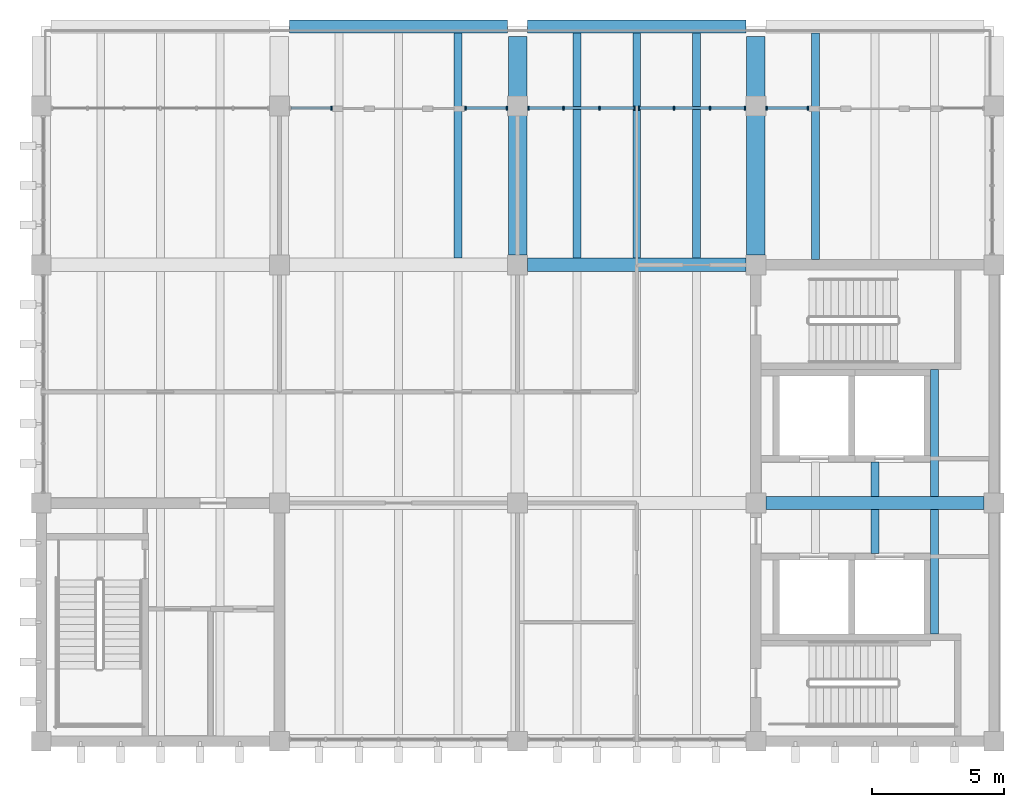
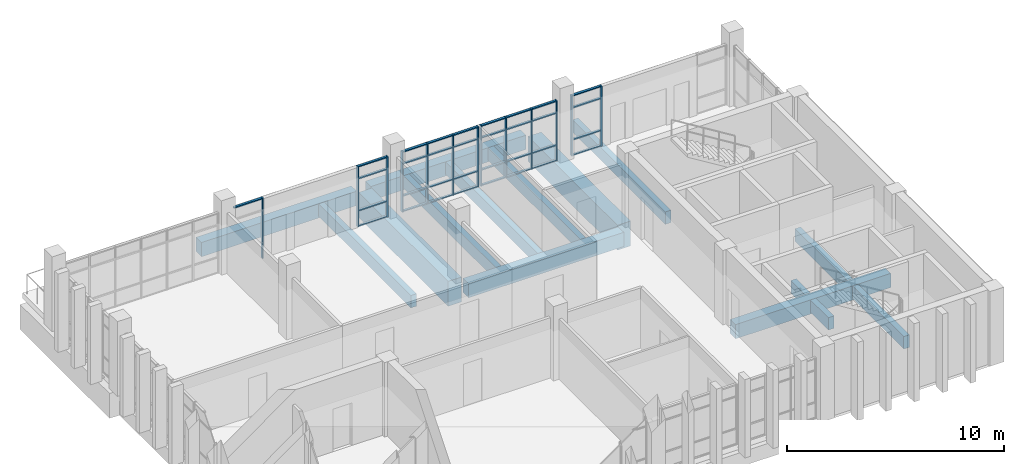
# One storey, part 5 of 15: 46 members, 15 beams, 5 elements without a shape of their own.
"""IFC4 building model written with IfcOpenShell, lengths in metres."""

from ifc_helpers import new_model, si_unit, direction, frame, origin, origin_2d, place, context, subcontext, project, spatial, rectangle, extrude, material, material_profile, profile_set, type_object, element, aggregate, save


model = new_model("IFC4")

# Units and contexts
model_context = context("Model", 3, precision=1e-05, world=origin(), true_north=direction((0.0, 1.0)))
body_context = subcontext(model_context, "Body", "Model", "MODEL_VIEW")
ifc_project = project(units=[si_unit("LENGTHUNIT", "METRE"), si_unit("AREAUNIT", "SQUARE_METRE"), si_unit("VOLUMEUNIT", "CUBIC_METRE"), si_unit("PLANEANGLEUNIT", "RADIAN"), si_unit("MASSUNIT", "GRAM", prefix="KILO")], contexts=[model_context])

# Site, building, storey
site_placement = place(None, origin())
site = spatial("IfcSite", under=ifc_project, at=site_placement, CompositionType="ELEMENT")
building_placement = place(site_placement, origin())
building = spatial("IfcBuilding", under=site, at=building_placement, Name="Merrow Basin Faculty of Sciences", CompositionType="ELEMENT")
storey_placement = place(building_placement, frame((0.0, 0.0, 31.5)))
storey = spatial("IfcBuildingStorey", under=building, at=storey_placement, Name="L07", CompositionType="ELEMENT", Elevation=31.5)

# Curtain wall, member
ifc_material_1 = material(Name="Aluminium alloy 6063", Category="aluminium")
curtain_wall_type = type_object("IfcCurtainWallType", Name="Unitised curtain wall 160", PredefinedType="NOTDEFINED", material=ifc_material_1)
curtain_wall_1_placement = place(storey_placement, origin())
curtain_wall_1 = element("IfcCurtainWall", 1, at=curtain_wall_1_placement, inside=storey, type_object=curtain_wall_type, Name="N curtain wall L07 2", PredefinedType="NOTDEFINED")
ifc_material_2 = material(Name="Aluminium alloy 6063", Category="aluminium")
ifc_material_profile_1 = material_profile(ifc_material_2, rectangle(XDim=0.159912109375, YDim=0.06005859375, at=origin_2d()))
ifc_profile_set_1 = profile_set([ifc_material_profile_1], Name="Aluminium alloy 6063")
member_type_1 = type_object("IfcMemberType", Name="Aluminium mullion 60x160", PredefinedType="MULLION", material=ifc_profile_set_1)
member_1_placement = place(storey_placement, frame((28.969970703125, 165.919921875, 0.0), z_axis=(0.0, 0.0, 1.0), x_axis=(0.0, 1.0, 0.0)))
member_1 = element("IfcMember", 2, at=member_1_placement, type_object=member_type_1, Name="CW3 mullion 2", PredefinedType="MULLION", context=body_context, shape_type="SweptSolid", body=[
    extrude(rectangle(XDim=0.159912109375, YDim=0.06005859375, at=origin_2d()), origin(), (0.0, 0.0, 1.0), 3.39990234375),
])

# Curtain wall, members
curtain_wall_2_placement = place(storey_placement, origin())
curtain_wall_2 = element("IfcCurtainWall", 3, at=curtain_wall_2_placement, inside=storey, type_object=curtain_wall_type, Name="N curtain wall L07 3", PredefinedType="NOTDEFINED")
member_2_placement = place(storey_placement, frame((34.030029296875, 165.919921875, 0.0), z_axis=(0.0, 0.0, 1.0), x_axis=(0.0, 1.0, 0.0)))
member_2 = element("IfcMember", 4, at=member_2_placement, type_object=member_type_1, Name="CW3 mullion 1", PredefinedType="MULLION", context=body_context, shape_type="SweptSolid", body=[
    extrude(rectangle(XDim=0.159912109375, YDim=0.06005859375, at=origin_2d()), origin(), (0.0, 0.0, 1.0), 3.39990234375),
])
member_3_placement = place(storey_placement, frame((35.594970703125, 165.919921875, 0.0), z_axis=(0.0, 0.0, 1.0), x_axis=(0.0, 1.0, 0.0)))
member_3 = element("IfcMember", 5, at=member_3_placement, type_object=member_type_1, Name="CW3 mullion 2", PredefinedType="MULLION", context=body_context, shape_type="SweptSolid", body=[
    extrude(rectangle(XDim=0.159912109375, YDim=0.06005859375, at=origin_2d()), origin(), (0.0, 0.0, 1.0), 3.39990234375),
])

curtain_wall_3_placement = place(storey_placement, origin())
curtain_wall_3 = element("IfcCurtainWall", 6, at=curtain_wall_3_placement, inside=storey, type_object=curtain_wall_type, Name="N curtain wall L07 4", PredefinedType="NOTDEFINED")
member_4_placement = place(storey_placement, frame((36.405029296875, 165.919921875, 0.0), z_axis=(0.0, 0.0, 1.0), x_axis=(0.0, 1.0, 0.0)))
member_4 = element("IfcMember", 7, at=member_4_placement, type_object=member_type_1, Name="CW3 mullion 1", PredefinedType="MULLION", context=body_context, shape_type="SweptSolid", body=[
    extrude(rectangle(XDim=0.159912109375, YDim=0.06005859375, at=origin_2d()), origin(), (0.0, 0.0, 1.0), 3.39990234375),
])
member_5_placement = place(storey_placement, frame((37.7333984375, 165.919921875, 0.0), z_axis=(0.0, 0.0, 1.0), x_axis=(0.0, 1.0, 0.0)))
member_5 = element("IfcMember", 8, at=member_5_placement, type_object=member_type_1, Name="CW3 mullion 2", PredefinedType="MULLION", context=body_context, shape_type="SweptSolid", body=[
    extrude(rectangle(XDim=0.159912109375, YDim=0.06005859375, at=origin_2d()), origin(), (0.0, 0.0, 1.0), 3.39990234375),
])
member_6_placement = place(storey_placement, frame((39.091552734375, 165.919921875, 0.0), z_axis=(0.0, 0.0, 1.0), x_axis=(0.0, 1.0, 0.0)))
member_6 = element("IfcMember", 9, at=member_6_placement, type_object=member_type_1, Name="CW3 mullion 3", PredefinedType="MULLION", context=body_context, shape_type="SweptSolid", body=[
    extrude(rectangle(XDim=0.159912109375, YDim=0.06005859375, at=origin_2d()), origin(), (0.0, 0.0, 1.0), 3.39990234375),
])
member_7_placement = place(storey_placement, frame((40.419921875, 165.919921875, 0.0), z_axis=(0.0, 0.0, 1.0), x_axis=(0.0, 1.0, 0.0)))
member_7 = element("IfcMember", 10, at=member_7_placement, type_object=member_type_1, Name="CW3 mullion 4", PredefinedType="MULLION", context=body_context, shape_type="SweptSolid", body=[
    extrude(rectangle(XDim=0.159912109375, YDim=0.06005859375, at=origin_2d()), origin(), (0.0, 0.0, 1.0), 3.39990234375),
])

curtain_wall_4_placement = place(storey_placement, origin())
curtain_wall_4 = element("IfcCurtainWall", 11, at=curtain_wall_4_placement, inside=storey, type_object=curtain_wall_type, Name="N curtain wall L07 5", PredefinedType="NOTDEFINED")
member_8_placement = place(storey_placement, frame((40.580078125, 165.919921875, 0.0), z_axis=(0.0, 0.0, 1.0), x_axis=(0.0, 1.0, 0.0)))
member_8 = element("IfcMember", 12, at=member_8_placement, type_object=member_type_1, Name="CW3 mullion 1", PredefinedType="MULLION", context=body_context, shape_type="SweptSolid", body=[
    extrude(rectangle(XDim=0.159912109375, YDim=0.06005859375, at=origin_2d()), origin(), (0.0, 0.0, 1.0), 3.39990234375),
])
member_9_placement = place(storey_placement, frame((41.908447265625, 165.919921875, 0.0), z_axis=(0.0, 0.0, 1.0), x_axis=(0.0, 1.0, 0.0)))
member_9 = element("IfcMember", 13, at=member_9_placement, type_object=member_type_1, Name="CW3 mullion 2", PredefinedType="MULLION", context=body_context, shape_type="SweptSolid", body=[
    extrude(rectangle(XDim=0.159912109375, YDim=0.06005859375, at=origin_2d()), origin(), (0.0, 0.0, 1.0), 3.39990234375),
])
member_10_placement = place(storey_placement, frame((43.2666015625, 165.919921875, 0.0), z_axis=(0.0, 0.0, 1.0), x_axis=(0.0, 1.0, 0.0)))
member_10 = element("IfcMember", 14, at=member_10_placement, type_object=member_type_1, Name="CW3 mullion 3", PredefinedType="MULLION", context=body_context, shape_type="SweptSolid", body=[
    extrude(rectangle(XDim=0.159912109375, YDim=0.06005859375, at=origin_2d()), origin(), (0.0, 0.0, 1.0), 3.39990234375),
])
member_11_placement = place(storey_placement, frame((44.594970703125, 165.919921875, 0.0), z_axis=(0.0, 0.0, 1.0), x_axis=(0.0, 1.0, 0.0)))
member_11 = element("IfcMember", 15, at=member_11_placement, type_object=member_type_1, Name="CW3 mullion 4", PredefinedType="MULLION", context=body_context, shape_type="SweptSolid", body=[
    extrude(rectangle(XDim=0.159912109375, YDim=0.06005859375, at=origin_2d()), origin(), (0.0, 0.0, 1.0), 3.39990234375),
])

curtain_wall_5_placement = place(storey_placement, origin())
curtain_wall_5 = element("IfcCurtainWall", 16, at=curtain_wall_5_placement, inside=storey, type_object=curtain_wall_type, Name="N curtain wall L07 6", PredefinedType="NOTDEFINED")
member_12_placement = place(storey_placement, frame((45.405029296875, 165.919921875, 0.0), z_axis=(0.0, 0.0, 1.0), x_axis=(0.0, 1.0, 0.0)))
member_12 = element("IfcMember", 17, at=member_12_placement, type_object=member_type_1, Name="CW3 mullion 1", PredefinedType="MULLION", context=body_context, shape_type="SweptSolid", body=[
    extrude(rectangle(XDim=0.159912109375, YDim=0.06005859375, at=origin_2d()), origin(), (0.0, 0.0, 1.0), 3.39990234375),
])
member_13_placement = place(storey_placement, frame((46.969970703125, 165.919921875, 0.0), z_axis=(0.0, 0.0, 1.0), x_axis=(0.0, 1.0, 0.0)))
member_13 = element("IfcMember", 18, at=member_13_placement, type_object=member_type_1, Name="CW3 mullion 2", PredefinedType="MULLION", context=body_context, shape_type="SweptSolid", body=[
    extrude(rectangle(XDim=0.159912109375, YDim=0.06005859375, at=origin_2d()), origin(), (0.0, 0.0, 1.0), 3.39990234375),
])

# Member
ifc_material_3 = material(Name="Aluminium alloy 6063", Category="aluminium")
ifc_material_profile_2 = material_profile(ifc_material_3, rectangle(XDim=0.1201171875, YDim=0.06005859375, at=origin_2d()))
ifc_profile_set_2 = profile_set([ifc_material_profile_2], Name="Aluminium alloy 6063")
member_type_2 = type_object("IfcMemberType", Name="Aluminium transom 60x120", PredefinedType="USERDEFINED", material=ifc_profile_set_2)
member_14_placement = place(storey_placement, frame((27.43505859375, 165.919921875, 3.3701171875), z_axis=(1.0, 0.0, 0.0), x_axis=(0.0, 1.0, 0.0)))
member_14 = element("IfcMember", 19, at=member_14_placement, type_object=member_type_2, Name="CW3 transom 1.4", ObjectType="TRANSOM", PredefinedType="USERDEFINED", context=body_context, shape_type="SweptSolid", body=[
    extrude(rectangle(XDim=0.1201171875, YDim=0.06005859375, at=origin_2d()), origin(), (0.0, 0.0, 1.0), 1.5048828125),
])

aggregate(curtain_wall_1, [member_1, member_14])

member_15_placement = place(storey_placement, frame((34.06005859375, 165.919921875, 0.030029296875), z_axis=(1.0, 0.0, 0.0), x_axis=(0.0, 1.0, 0.0)))
member_15 = element("IfcMember", 20, at=member_15_placement, type_object=member_type_2, Name="CW3 transom 1.1", ObjectType="TRANSOM", PredefinedType="USERDEFINED", context=body_context, shape_type="SweptSolid", body=[
    extrude(rectangle(XDim=0.1201171875, YDim=0.06005859375, at=origin_2d()), origin(), (0.0, 0.0, 1.0), 1.5048828125),
])

member_16_placement = place(storey_placement, frame((34.06005859375, 165.919921875, 0.89990234375), z_axis=(1.0, 0.0, 0.0), x_axis=(0.0, 1.0, 0.0)))
member_16 = element("IfcMember", 21, at=member_16_placement, type_object=member_type_2, Name="CW3 transom 1.2", ObjectType="TRANSOM", PredefinedType="USERDEFINED", context=body_context, shape_type="SweptSolid", body=[
    extrude(rectangle(XDim=0.1201171875, YDim=0.06005859375, at=origin_2d()), origin(), (0.0, 0.0, 1.0), 1.5048828125),
])

member_17_placement = place(storey_placement, frame((34.06005859375, 165.919921875, 2.699951171875), z_axis=(1.0, 0.0, 0.0), x_axis=(0.0, 1.0, 0.0)))
member_17 = element("IfcMember", 22, at=member_17_placement, type_object=member_type_2, Name="CW3 transom 1.3", ObjectType="TRANSOM", PredefinedType="USERDEFINED", context=body_context, shape_type="SweptSolid", body=[
    extrude(rectangle(XDim=0.1201171875, YDim=0.06005859375, at=origin_2d()), origin(), (0.0, 0.0, 1.0), 1.5048828125),
])

member_18_placement = place(storey_placement, frame((34.06005859375, 165.919921875, 3.3701171875), z_axis=(1.0, 0.0, 0.0), x_axis=(0.0, 1.0, 0.0)))
member_18 = element("IfcMember", 23, at=member_18_placement, type_object=member_type_2, Name="CW3 transom 1.4", ObjectType="TRANSOM", PredefinedType="USERDEFINED", context=body_context, shape_type="SweptSolid", body=[
    extrude(rectangle(XDim=0.1201171875, YDim=0.06005859375, at=origin_2d()), origin(), (0.0, 0.0, 1.0), 1.5048828125),
])

aggregate(curtain_wall_2, [member_2, member_3, member_15, member_16, member_17, member_18])

member_19_placement = place(storey_placement, frame((36.43505859375, 165.919921875, 0.030029296875), z_axis=(1.0, 0.0, 0.0), x_axis=(0.0, 1.0, 0.0)))
member_19 = element("IfcMember", 24, at=member_19_placement, type_object=member_type_2, Name="CW3 transom 1.1", ObjectType="TRANSOM", PredefinedType="USERDEFINED", context=body_context, shape_type="SweptSolid", body=[
    extrude(rectangle(XDim=0.1201171875, YDim=0.06005859375, at=origin_2d()), origin(), (0.0, 0.0, 1.0), 1.268310546875),
])

member_20_placement = place(storey_placement, frame((36.43505859375, 165.919921875, 0.89990234375), z_axis=(1.0, 0.0, 0.0), x_axis=(0.0, 1.0, 0.0)))
member_20 = element("IfcMember", 25, at=member_20_placement, type_object=member_type_2, Name="CW3 transom 1.2", ObjectType="TRANSOM", PredefinedType="USERDEFINED", context=body_context, shape_type="SweptSolid", body=[
    extrude(rectangle(XDim=0.1201171875, YDim=0.06005859375, at=origin_2d()), origin(), (0.0, 0.0, 1.0), 1.268310546875),
])

member_21_placement = place(storey_placement, frame((36.43505859375, 165.919921875, 2.699951171875), z_axis=(1.0, 0.0, 0.0), x_axis=(0.0, 1.0, 0.0)))
member_21 = element("IfcMember", 26, at=member_21_placement, type_object=member_type_2, Name="CW3 transom 1.3", ObjectType="TRANSOM", PredefinedType="USERDEFINED", context=body_context, shape_type="SweptSolid", body=[
    extrude(rectangle(XDim=0.1201171875, YDim=0.06005859375, at=origin_2d()), origin(), (0.0, 0.0, 1.0), 1.268310546875),
])

member_22_placement = place(storey_placement, frame((36.43505859375, 165.919921875, 3.3701171875), z_axis=(1.0, 0.0, 0.0), x_axis=(0.0, 1.0, 0.0)))
member_22 = element("IfcMember", 27, at=member_22_placement, type_object=member_type_2, Name="CW3 transom 1.4", ObjectType="TRANSOM", PredefinedType="USERDEFINED", context=body_context, shape_type="SweptSolid", body=[
    extrude(rectangle(XDim=0.1201171875, YDim=0.06005859375, at=origin_2d()), origin(), (0.0, 0.0, 1.0), 1.268310546875),
])

member_23_placement = place(storey_placement, frame((37.763427734375, 165.919921875, 0.030029296875), z_axis=(1.0, 0.0, 0.0), x_axis=(0.0, 1.0, 0.0)))
member_23 = element("IfcMember", 28, at=member_23_placement, type_object=member_type_2, Name="CW3 transom 2.1", ObjectType="TRANSOM", PredefinedType="USERDEFINED", context=body_context, shape_type="SweptSolid", body=[
    extrude(rectangle(XDim=0.1201171875, YDim=0.06005859375, at=origin_2d()), origin(), (0.0, 0.0, 1.0), 1.29833984375),
])

member_24_placement = place(storey_placement, frame((37.763427734375, 165.919921875, 0.89990234375), z_axis=(1.0, 0.0, 0.0), x_axis=(0.0, 1.0, 0.0)))
member_24 = element("IfcMember", 29, at=member_24_placement, type_object=member_type_2, Name="CW3 transom 2.2", ObjectType="TRANSOM", PredefinedType="USERDEFINED", context=body_context, shape_type="SweptSolid", body=[
    extrude(rectangle(XDim=0.1201171875, YDim=0.06005859375, at=origin_2d()), origin(), (0.0, 0.0, 1.0), 1.29833984375),
])

member_25_placement = place(storey_placement, frame((37.763427734375, 165.919921875, 2.699951171875), z_axis=(1.0, 0.0, 0.0), x_axis=(0.0, 1.0, 0.0)))
member_25 = element("IfcMember", 30, at=member_25_placement, type_object=member_type_2, Name="CW3 transom 2.3", ObjectType="TRANSOM", PredefinedType="USERDEFINED", context=body_context, shape_type="SweptSolid", body=[
    extrude(rectangle(XDim=0.1201171875, YDim=0.06005859375, at=origin_2d()), origin(), (0.0, 0.0, 1.0), 1.29833984375),
])

member_26_placement = place(storey_placement, frame((37.763427734375, 165.919921875, 3.3701171875), z_axis=(1.0, 0.0, 0.0), x_axis=(0.0, 1.0, 0.0)))
member_26 = element("IfcMember", 31, at=member_26_placement, type_object=member_type_2, Name="CW3 transom 2.4", ObjectType="TRANSOM", PredefinedType="USERDEFINED", context=body_context, shape_type="SweptSolid", body=[
    extrude(rectangle(XDim=0.1201171875, YDim=0.06005859375, at=origin_2d()), origin(), (0.0, 0.0, 1.0), 1.29833984375),
])

member_27_placement = place(storey_placement, frame((39.12158203125, 165.919921875, 0.030029296875), z_axis=(1.0, 0.0, 0.0), x_axis=(0.0, 1.0, 0.0)))
member_27 = element("IfcMember", 32, at=member_27_placement, type_object=member_type_2, Name="CW3 transom 3.1", ObjectType="TRANSOM", PredefinedType="USERDEFINED", context=body_context, shape_type="SweptSolid", body=[
    extrude(rectangle(XDim=0.1201171875, YDim=0.06005859375, at=origin_2d()), origin(), (0.0, 0.0, 1.0), 1.268310546875),
])

member_28_placement = place(storey_placement, frame((39.12158203125, 165.919921875, 0.89990234375), z_axis=(1.0, 0.0, 0.0), x_axis=(0.0, 1.0, 0.0)))
member_28 = element("IfcMember", 33, at=member_28_placement, type_object=member_type_2, Name="CW3 transom 3.2", ObjectType="TRANSOM", PredefinedType="USERDEFINED", context=body_context, shape_type="SweptSolid", body=[
    extrude(rectangle(XDim=0.1201171875, YDim=0.06005859375, at=origin_2d()), origin(), (0.0, 0.0, 1.0), 1.268310546875),
])

member_29_placement = place(storey_placement, frame((39.12158203125, 165.919921875, 2.699951171875), z_axis=(1.0, 0.0, 0.0), x_axis=(0.0, 1.0, 0.0)))
member_29 = element("IfcMember", 34, at=member_29_placement, type_object=member_type_2, Name="CW3 transom 3.3", ObjectType="TRANSOM", PredefinedType="USERDEFINED", context=body_context, shape_type="SweptSolid", body=[
    extrude(rectangle(XDim=0.1201171875, YDim=0.06005859375, at=origin_2d()), origin(), (0.0, 0.0, 1.0), 1.268310546875),
])

member_30_placement = place(storey_placement, frame((39.12158203125, 165.919921875, 3.3701171875), z_axis=(1.0, 0.0, 0.0), x_axis=(0.0, 1.0, 0.0)))
member_30 = element("IfcMember", 35, at=member_30_placement, type_object=member_type_2, Name="CW3 transom 3.4", ObjectType="TRANSOM", PredefinedType="USERDEFINED", context=body_context, shape_type="SweptSolid", body=[
    extrude(rectangle(XDim=0.1201171875, YDim=0.06005859375, at=origin_2d()), origin(), (0.0, 0.0, 1.0), 1.268310546875),
])

aggregate(curtain_wall_3, [member_4, member_5, member_6, member_7, member_19, member_20, member_21, member_22, member_23, member_24, member_25, member_26, member_27, member_28, member_29, member_30])

member_31_placement = place(storey_placement, frame((40.610107421875, 165.919921875, 0.030029296875), z_axis=(1.0, 0.0, 0.0), x_axis=(0.0, 1.0, 0.0)))
member_31 = element("IfcMember", 36, at=member_31_placement, type_object=member_type_2, Name="CW3 transom 1.1", ObjectType="TRANSOM", PredefinedType="USERDEFINED", context=body_context, shape_type="SweptSolid", body=[
    extrude(rectangle(XDim=0.1201171875, YDim=0.06005859375, at=origin_2d()), origin(), (0.0, 0.0, 1.0), 1.268310546875),
])

member_32_placement = place(storey_placement, frame((40.610107421875, 165.919921875, 0.89990234375), z_axis=(1.0, 0.0, 0.0), x_axis=(0.0, 1.0, 0.0)))
member_32 = element("IfcMember", 37, at=member_32_placement, type_object=member_type_2, Name="CW3 transom 1.2", ObjectType="TRANSOM", PredefinedType="USERDEFINED", context=body_context, shape_type="SweptSolid", body=[
    extrude(rectangle(XDim=0.1201171875, YDim=0.06005859375, at=origin_2d()), origin(), (0.0, 0.0, 1.0), 1.268310546875),
])

member_33_placement = place(storey_placement, frame((40.610107421875, 165.919921875, 2.699951171875), z_axis=(1.0, 0.0, 0.0), x_axis=(0.0, 1.0, 0.0)))
member_33 = element("IfcMember", 38, at=member_33_placement, type_object=member_type_2, Name="CW3 transom 1.3", ObjectType="TRANSOM", PredefinedType="USERDEFINED", context=body_context, shape_type="SweptSolid", body=[
    extrude(rectangle(XDim=0.1201171875, YDim=0.06005859375, at=origin_2d()), origin(), (0.0, 0.0, 1.0), 1.268310546875),
])

member_34_placement = place(storey_placement, frame((40.610107421875, 165.919921875, 3.3701171875), z_axis=(1.0, 0.0, 0.0), x_axis=(0.0, 1.0, 0.0)))
member_34 = element("IfcMember", 39, at=member_34_placement, type_object=member_type_2, Name="CW3 transom 1.4", ObjectType="TRANSOM", PredefinedType="USERDEFINED", context=body_context, shape_type="SweptSolid", body=[
    extrude(rectangle(XDim=0.1201171875, YDim=0.06005859375, at=origin_2d()), origin(), (0.0, 0.0, 1.0), 1.268310546875),
])

member_35_placement = place(storey_placement, frame((41.938232421875, 165.919921875, 0.030029296875), z_axis=(1.0, 0.0, 0.0), x_axis=(0.0, 1.0, 0.0)))
member_35 = element("IfcMember", 40, at=member_35_placement, type_object=member_type_2, Name="CW3 transom 2.1", ObjectType="TRANSOM", PredefinedType="USERDEFINED", context=body_context, shape_type="SweptSolid", body=[
    extrude(rectangle(XDim=0.1201171875, YDim=0.06005859375, at=origin_2d()), origin(), (0.0, 0.0, 1.0), 1.29833984375),
])

member_36_placement = place(storey_placement, frame((41.938232421875, 165.919921875, 0.89990234375), z_axis=(1.0, 0.0, 0.0), x_axis=(0.0, 1.0, 0.0)))
member_36 = element("IfcMember", 41, at=member_36_placement, type_object=member_type_2, Name="CW3 transom 2.2", ObjectType="TRANSOM", PredefinedType="USERDEFINED", context=body_context, shape_type="SweptSolid", body=[
    extrude(rectangle(XDim=0.1201171875, YDim=0.06005859375, at=origin_2d()), origin(), (0.0, 0.0, 1.0), 1.29833984375),
])

member_37_placement = place(storey_placement, frame((41.938232421875, 165.919921875, 2.699951171875), z_axis=(1.0, 0.0, 0.0), x_axis=(0.0, 1.0, 0.0)))
member_37 = element("IfcMember", 42, at=member_37_placement, type_object=member_type_2, Name="CW3 transom 2.3", ObjectType="TRANSOM", PredefinedType="USERDEFINED", context=body_context, shape_type="SweptSolid", body=[
    extrude(rectangle(XDim=0.1201171875, YDim=0.06005859375, at=origin_2d()), origin(), (0.0, 0.0, 1.0), 1.29833984375),
])

member_38_placement = place(storey_placement, frame((41.938232421875, 165.919921875, 3.3701171875), z_axis=(1.0, 0.0, 0.0), x_axis=(0.0, 1.0, 0.0)))
member_38 = element("IfcMember", 43, at=member_38_placement, type_object=member_type_2, Name="CW3 transom 2.4", ObjectType="TRANSOM", PredefinedType="USERDEFINED", context=body_context, shape_type="SweptSolid", body=[
    extrude(rectangle(XDim=0.1201171875, YDim=0.06005859375, at=origin_2d()), origin(), (0.0, 0.0, 1.0), 1.29833984375),
])

member_39_placement = place(storey_placement, frame((43.296630859375, 165.919921875, 0.030029296875), z_axis=(1.0, 0.0, 0.0), x_axis=(0.0, 1.0, 0.0)))
member_39 = element("IfcMember", 44, at=member_39_placement, type_object=member_type_2, Name="CW3 transom 3.1", ObjectType="TRANSOM", PredefinedType="USERDEFINED", context=body_context, shape_type="SweptSolid", body=[
    extrude(rectangle(XDim=0.1201171875, YDim=0.06005859375, at=origin_2d()), origin(), (0.0, 0.0, 1.0), 1.268310546875),
])

member_40_placement = place(storey_placement, frame((43.296630859375, 165.919921875, 0.89990234375), z_axis=(1.0, 0.0, 0.0), x_axis=(0.0, 1.0, 0.0)))
member_40 = element("IfcMember", 45, at=member_40_placement, type_object=member_type_2, Name="CW3 transom 3.2", ObjectType="TRANSOM", PredefinedType="USERDEFINED", context=body_context, shape_type="SweptSolid", body=[
    extrude(rectangle(XDim=0.1201171875, YDim=0.06005859375, at=origin_2d()), origin(), (0.0, 0.0, 1.0), 1.268310546875),
])

member_41_placement = place(storey_placement, frame((43.296630859375, 165.919921875, 2.699951171875), z_axis=(1.0, 0.0, 0.0), x_axis=(0.0, 1.0, 0.0)))
member_41 = element("IfcMember", 46, at=member_41_placement, type_object=member_type_2, Name="CW3 transom 3.3", ObjectType="TRANSOM", PredefinedType="USERDEFINED", context=body_context, shape_type="SweptSolid", body=[
    extrude(rectangle(XDim=0.1201171875, YDim=0.06005859375, at=origin_2d()), origin(), (0.0, 0.0, 1.0), 1.268310546875),
])

member_42_placement = place(storey_placement, frame((43.296630859375, 165.919921875, 3.3701171875), z_axis=(1.0, 0.0, 0.0), x_axis=(0.0, 1.0, 0.0)))
member_42 = element("IfcMember", 47, at=member_42_placement, type_object=member_type_2, Name="CW3 transom 3.4", ObjectType="TRANSOM", PredefinedType="USERDEFINED", context=body_context, shape_type="SweptSolid", body=[
    extrude(rectangle(XDim=0.1201171875, YDim=0.06005859375, at=origin_2d()), origin(), (0.0, 0.0, 1.0), 1.268310546875),
])

aggregate(curtain_wall_4, [member_8, member_9, member_10, member_11, member_31, member_32, member_33, member_34, member_35, member_36, member_37, member_38, member_39, member_40, member_41, member_42])

member_43_placement = place(storey_placement, frame((45.43505859375, 165.919921875, 0.030029296875), z_axis=(1.0, 0.0, 0.0), x_axis=(0.0, 1.0, 0.0)))
member_43 = element("IfcMember", 48, at=member_43_placement, type_object=member_type_2, Name="CW3 transom 1.1", ObjectType="TRANSOM", PredefinedType="USERDEFINED", context=body_context, shape_type="SweptSolid", body=[
    extrude(rectangle(XDim=0.1201171875, YDim=0.06005859375, at=origin_2d()), origin(), (0.0, 0.0, 1.0), 1.5048828125),
])

member_44_placement = place(storey_placement, frame((45.43505859375, 165.919921875, 0.89990234375), z_axis=(1.0, 0.0, 0.0), x_axis=(0.0, 1.0, 0.0)))
member_44 = element("IfcMember", 49, at=member_44_placement, type_object=member_type_2, Name="CW3 transom 1.2", ObjectType="TRANSOM", PredefinedType="USERDEFINED", context=body_context, shape_type="SweptSolid", body=[
    extrude(rectangle(XDim=0.1201171875, YDim=0.06005859375, at=origin_2d()), origin(), (0.0, 0.0, 1.0), 1.5048828125),
])

member_45_placement = place(storey_placement, frame((45.43505859375, 165.919921875, 2.699951171875), z_axis=(1.0, 0.0, 0.0), x_axis=(0.0, 1.0, 0.0)))
member_45 = element("IfcMember", 50, at=member_45_placement, type_object=member_type_2, Name="CW3 transom 1.3", ObjectType="TRANSOM", PredefinedType="USERDEFINED", context=body_context, shape_type="SweptSolid", body=[
    extrude(rectangle(XDim=0.1201171875, YDim=0.06005859375, at=origin_2d()), origin(), (0.0, 0.0, 1.0), 1.5048828125),
])

member_46_placement = place(storey_placement, frame((45.43505859375, 165.919921875, 3.3701171875), z_axis=(1.0, 0.0, 0.0), x_axis=(0.0, 1.0, 0.0)))
member_46 = element("IfcMember", 51, at=member_46_placement, type_object=member_type_2, Name="CW3 transom 1.4", ObjectType="TRANSOM", PredefinedType="USERDEFINED", context=body_context, shape_type="SweptSolid", body=[
    extrude(rectangle(XDim=0.1201171875, YDim=0.06005859375, at=origin_2d()), origin(), (0.0, 0.0, 1.0), 1.5048828125),
])

aggregate(curtain_wall_5, [member_12, member_13, member_43, member_44, member_45, member_46])

# Beams
ifc_material_4 = material(Name="Concrete C40/50", Category="concrete")
ifc_material_profile_3 = material_profile(ifc_material_4, rectangle(XDim=0.5, YDim=0.800048828125, at=origin_2d()))
ifc_profile_set_3 = profile_set([ifc_material_profile_3], Name="Concrete C40/50")
beam_type_1 = type_object("IfcBeamType", Name="Beam RC500x800 C40/50", PredefinedType="BEAM", material=ifc_profile_set_3)
for number, where, z_axis, x_axis, name in (
    (52, (45.375, 151.0, -0.699951171875), (1.0, 0.0, 0.0), (0.0, 1.0, 0.0), "B4 L07 005"),
    (53, (36.375, 160.0, -0.699951171875), (1.0, 0.0, 0.0), (0.0, 1.0, 0.0), "B4 L07 008"),
    (54, (27.375, 169.0, -0.699951171875), (1.0, 0.0, 0.0), (0.0, 1.0, 0.0), "B4 L07 010"),
    (55, (36.375, 169.0, -0.699951171875), (1.0, 0.0, 0.0), (0.0, 1.0, 0.0), "B4 L07 011"),
):
    element("IfcBeam", number, at=place(storey_placement, frame(where, z_axis=z_axis, x_axis=x_axis)), inside=storey, type_object=beam_type_1, Name=name, PredefinedType="BEAM", context=body_context, shape_type="SweptSolid", body=[
        extrude(rectangle(XDim=0.5, YDim=0.800048828125, at=origin_2d()), origin(), (0.0, 0.0, 1.0), 8.25),
    ])
ifc_material_5 = material(Name="Concrete C40/50", Category="concrete")
ifc_material_profile_4 = material_profile(ifc_material_5, rectangle(XDim=0.699951171875, YDim=1.39990234375, at=origin_2d()))
ifc_profile_set_4 = profile_set([ifc_material_profile_4], Name="Concrete C40/50")
beam_type_2 = type_object("IfcBeamType", Name="Beam RC700x1400 C40/50", PredefinedType="BEAM", material=ifc_profile_set_4)
for number, where, z_axis, x_axis, name in (
    (56, (36.0, 160.375, -1.0), (0.0, 1.0, 0.0), (-1.0, 0.0, 0.0), "B5 L07 019"),
    (57, (45.0, 160.375, -1.0), (0.0, 1.0, 0.0), (-1.0, 0.0, 0.0), "B5 L07 020"),
):
    element("IfcBeam", number, at=place(storey_placement, frame(where, z_axis=z_axis, x_axis=x_axis)), inside=storey, type_object=beam_type_2, Name=name, PredefinedType="BEAM", context=body_context, shape_type="SweptSolid", body=[
        extrude(rectangle(XDim=0.699951171875, YDim=1.39990234375, at=origin_2d()), origin(), (0.0, 0.0, 1.0), 8.25),
    ])
ifc_material_6 = material(Name="Concrete C40/50", Category="concrete")
ifc_material_profile_5 = material_profile(ifc_material_6, rectangle(XDim=0.300048828125, YDim=0.699951171875, at=origin_2d()))
ifc_profile_set_5 = profile_set([ifc_material_profile_5], Name="Concrete C40/50")
beam_type_3 = type_object("IfcBeamType", Name="Terrace joist RC300x700 C40/50", PredefinedType="BEAM", material=ifc_profile_set_5)
for number, where, z_axis, x_axis, name in (
    (58, (33.75, 160.25, -0.64990234375), (0.0, 1.0, 0.0), (-1.0, 0.0, 0.0), "JX1 L07 040"),
    (59, (38.25, 160.25, -0.64990234375), (0.0, 1.0, 0.0), (-1.0, 0.0, 0.0), "JX1 L07 047"),
    (60, (40.5, 160.25, -0.64990234375), (0.0, 1.0, 0.0), (-1.0, 0.0, 0.0), "JX1 L07 048"),
    (61, (42.75, 160.25, -0.64990234375), (0.0, 1.0, 0.0), (-1.0, 0.0, 0.0), "JX1 L07 049"),
):
    element("IfcBeam", number, at=place(storey_placement, frame(where, z_axis=z_axis, x_axis=x_axis)), inside=storey, type_object=beam_type_3, Name=name, PredefinedType="BEAM", context=body_context, shape_type="SweptSolid", body=[
        extrude(rectangle(XDim=0.300048828125, YDim=0.699951171875, at=origin_2d()), origin(), (0.0, 0.0, 1.0), 8.5),
    ])
beam_1_placement = place(storey_placement, frame((49.5, 149.10009765625, -0.64990234375), z_axis=(0.0, 1.0, 0.0), x_axis=(-1.0, 0.0, 0.0)))
element("IfcBeam", 62, at=beam_1_placement, inside=storey, type_object=beam_type_3, Name="JX1 L07 051", PredefinedType="BEAM", context=body_context, shape_type="SweptSolid", body=[
    extrude(rectangle(XDim=0.300048828125, YDim=0.699951171875, at=origin_2d()), origin(), (0.0, 0.0, 1.0), 1.64990234375),
])
beam_2_placement = place(storey_placement, frame((51.75, 146.050048828125, -0.64990234375), z_axis=(0.0, 1.0, 0.0), x_axis=(-1.0, 0.0, 0.0)))
element("IfcBeam", 63, at=beam_2_placement, inside=storey, type_object=beam_type_3, Name="JX1 L07 052", PredefinedType="BEAM", context=body_context, shape_type="SweptSolid", body=[
    extrude(rectangle(XDim=0.300048828125, YDim=0.699951171875, at=origin_2d()), origin(), (0.0, 0.0, 1.0), 4.699951171875),
])
beam_3_placement = place(storey_placement, frame((49.5, 151.25, -0.64990234375), z_axis=(0.0, 1.0, 0.0), x_axis=(-1.0, 0.0, 0.0)))
element("IfcBeam", 64, at=beam_3_placement, inside=storey, type_object=beam_type_3, Name="JX1 L07 054", PredefinedType="BEAM", context=body_context, shape_type="SweptSolid", body=[
    extrude(rectangle(XDim=0.300048828125, YDim=0.699951171875, at=origin_2d()), origin(), (0.0, 0.0, 1.0), 1.300048828125),
])
beam_4_placement = place(storey_placement, frame((51.75, 151.25, -0.64990234375), z_axis=(0.0, 1.0, 0.0), x_axis=(-1.0, 0.0, 0.0)))
element("IfcBeam", 65, at=beam_4_placement, inside=storey, type_object=beam_type_3, Name="JX1 L07 055", PredefinedType="BEAM", context=body_context, shape_type="SweptSolid", body=[
    extrude(rectangle(XDim=0.300048828125, YDim=0.699951171875, at=origin_2d()), origin(), (0.0, 0.0, 1.0), 4.800048828125),
])
beam_5_placement = place(storey_placement, frame((47.25, 160.199951171875, -0.64990234375), z_axis=(0.0, 1.0, 0.0), x_axis=(-1.0, 0.0, 0.0)))
element("IfcBeam", 66, at=beam_5_placement, inside=storey, type_object=beam_type_3, Name="JX1 L07 056", PredefinedType="BEAM", context=body_context, shape_type="SweptSolid", body=[
    extrude(rectangle(XDim=0.300048828125, YDim=0.699951171875, at=origin_2d()), origin(), (0.0, 0.0, 1.0), 8.550048828125),
])

save(model, "model.ifc")
